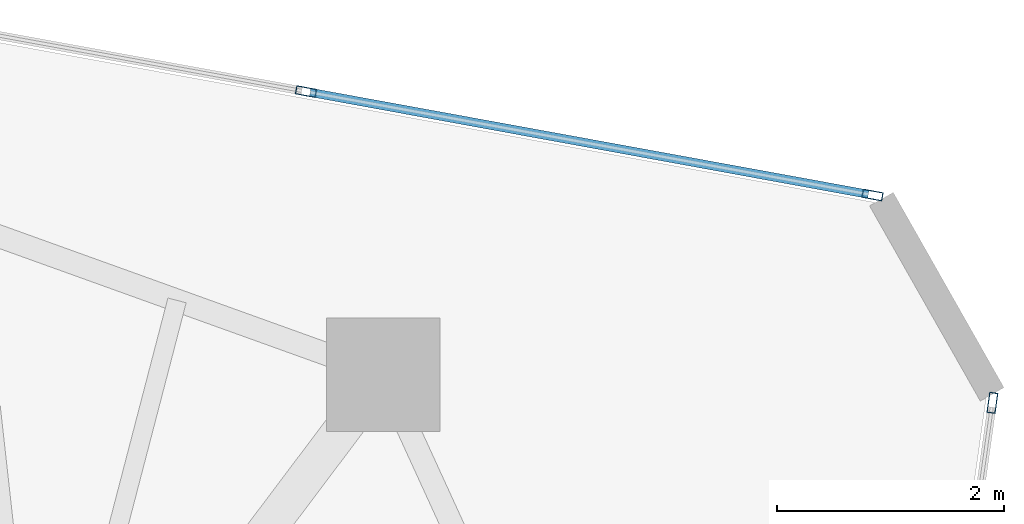
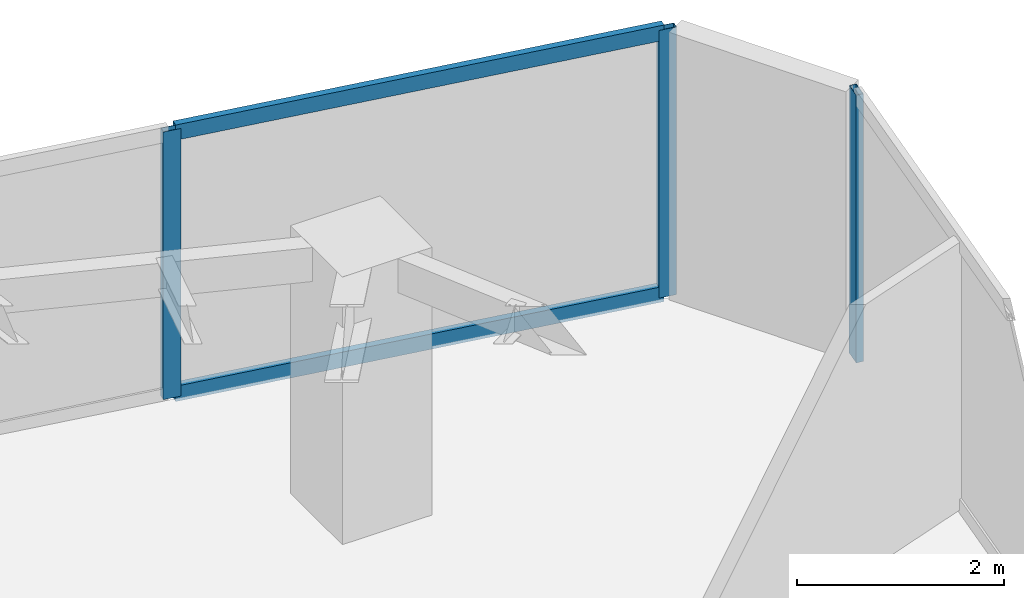
# One storey, part 16 of 21: 5 members, 2 elements without a shape of their own.
"""IFC4 building model written with IfcOpenShell, lengths in metres."""

from ifc_helpers import new_model, si_unit, direction, frame, origin, origin_2d, place, context, subcontext, project, spatial, hollow_rectangle, extrude, source, transform, mapped, material, layer, layer_set, material_profile, profile_set, type_object, type_shapes, element, aggregate, save


model = new_model("IFC4")

# Units and contexts
model_context = context("Model", 3, precision=1e-05, world=origin(), true_north=direction((0.0, 1.0)))
body_context = subcontext(model_context, "Body", "Model", "MODEL_VIEW")
ifc_project = project(units=[si_unit("LENGTHUNIT", "METRE"), si_unit("AREAUNIT", "SQUARE_METRE"), si_unit("VOLUMEUNIT", "CUBIC_METRE"), si_unit("PLANEANGLEUNIT", "RADIAN"), si_unit("MASSUNIT", "GRAM", prefix="KILO")], contexts=[model_context])

# Site, building, storey
site_placement = place(None, origin())
site = spatial("IfcSite", under=ifc_project, at=site_placement, CompositionType="ELEMENT")
building_placement = place(site_placement, origin())
building = spatial("IfcBuilding", under=site, at=building_placement, Name="Talar Marvaseh", CompositionType="ELEMENT")
storey_placement = place(building_placement, frame((0.0, 0.0, 232.699951171875)))
storey = spatial("IfcBuildingStorey", under=building, at=storey_placement, Name="L61", CompositionType="ELEMENT", Elevation=232.699951171875)

# Curtain wall, members
ifc_material = material(Name="Architectural Aluminium", Category="aluminium")
ifc_layer = layer(ifc_material, 0.18994140625)
ifc_layer_set = layer_set([ifc_layer], Name="Architectural Aluminium")
curtain_wall_type = type_object("IfcCurtainWallType", Name="Unitised Solar Atelier Curtain Wall Z3", PredefinedType="NOTDEFINED", material=ifc_layer_set)
curtain_wall_1_placement = place(storey_placement, origin())
curtain_wall_1 = element("IfcCurtainWall", 1, at=curtain_wall_1_placement, inside=storey, type_object=curtain_wall_type, Name="L61 Unitised Solar Atelier Curtain Wall Z3", PredefinedType="NOTDEFINED")
ifc_material_profile_1 = material_profile(ifc_material, hollow_rectangle(XDim=0.074951171875, YDim=0.179931640625, WallThickness=0.0048828125, at=origin_2d()), Name="RHS180x75x5")
ifc_profile_set_1 = profile_set([ifc_material_profile_1], Name="Architectural Aluminium")
member_type_1 = type_object("IfcMemberType", Name="Unitised Curtain Wall Transom RHS180x75x5", PredefinedType="USERDEFINED", material=ifc_profile_set_1)
shared_shape_1 = source(origin(), body_context, "Body", "SweptSolid", [
    extrude(hollow_rectangle(XDim=0.074951171875, YDim=0.179931640625, WallThickness=0.0048828125, at=origin_2d()), origin(), (0.0, 0.0, 1.0), 5.00048828125),
])
type_shapes(member_type_1, [shared_shape_1])
member_1_placement = place(storey_placement, frame((35.696044921875, 43.429443359375, 0.03759765625), z_axis=(0.983736055869, -0.179620077897, 0.0), x_axis=(0.179620077897, 0.983736055869, 0.0)))
member_1 = element("IfcMember", 2, at=member_1_placement, type_object=member_type_1, Name="CW-Z3 transom 3.1", ObjectType="TRANSOM", PredefinedType="USERDEFINED", context=body_context, shape_type="MappedRepresentation", body=[
    mapped(shared_shape_1, transform((0.0, 0.0, 0.0), x_axis=(1.0, 0.0, 0.0), y_axis=(0.0, 1.0, 0.0), z_axis=(0.0, 0.0, 1.0), scale=1.0)),
])
member_2_placement = place(storey_placement, frame((35.696044921875, 43.429443359375, 3.112548828125), z_axis=(0.983736055869, -0.179620077897, 0.0), x_axis=(0.179620077897, 0.983736055869, 0.0)))
member_2 = element("IfcMember", 3, at=member_2_placement, type_object=member_type_1, Name="CW-Z3 transom 3.2", ObjectType="TRANSOM", PredefinedType="USERDEFINED", context=body_context, shape_type="MappedRepresentation", body=[
    mapped(shared_shape_1, transform((0.0, 0.0, 0.0), x_axis=(1.0, 0.0, 0.0), y_axis=(0.0, 1.0, 0.0), z_axis=(0.0, 0.0, 1.0), scale=1.0)),
])
ifc_material_profile_2 = material_profile(ifc_material, hollow_rectangle(XDim=0.074951171875, YDim=0.179931640625, WallThickness=0.0048828125, at=origin_2d()), Name="RHS180x75x5")
ifc_profile_set_2 = profile_set([ifc_material_profile_2], Name="Architectural Aluminium")
member_type_2 = type_object("IfcMemberType", Name="Unitised Curtain Wall Standard Mullion RHS180x75x5", PredefinedType="MULLION", material=ifc_profile_set_2)
shared_shape_2 = source(origin(), body_context, "Body", "SweptSolid", [
    extrude(hollow_rectangle(XDim=0.074951171875, YDim=0.179931640625, WallThickness=0.0048828125, at=origin_2d()), origin(), (0.0, 0.0, 1.0), 3.150146484375),
])
type_shapes(member_type_2, [shared_shape_2])
member_3_placement = place(storey_placement, frame((35.6591796875, 43.436279296875, 0.0), z_axis=(0.0, 0.0, 1.0), x_axis=(0.17959448616, 0.983740728312, 0.0)))
member_3 = element("IfcMember", 4, at=member_3_placement, type_object=member_type_2, Name="CW-Z3 mullion 3", PredefinedType="MULLION", context=body_context, shape_type="MappedRepresentation", body=[
    mapped(shared_shape_2, transform((0.0, 0.0, 0.0), x_axis=(1.0, 0.0, 0.0), y_axis=(0.0, 1.0, 0.0), z_axis=(0.0, 0.0, 1.0), scale=1.0)),
])
member_4_placement = place(storey_placement, frame((40.652099609375, 42.524658203125, 0.0), z_axis=(0.0, 0.0, 1.0), x_axis=(0.17959448616, 0.983740728312, 0.0)))
member_4 = element("IfcMember", 5, at=member_4_placement, type_object=member_type_2, Name="CW-Z3 mullion 4", PredefinedType="MULLION", context=body_context, shape_type="MappedRepresentation", body=[
    mapped(shared_shape_2, transform((0.0, 0.0, 0.0), x_axis=(1.0, 0.0, 0.0), y_axis=(0.0, 1.0, 0.0), z_axis=(0.0, 0.0, 1.0), scale=1.0)),
])
aggregate(curtain_wall_1, [member_3, member_4, member_1, member_2])

# Curtain wall, member
curtain_wall_2_placement = place(storey_placement, origin())
curtain_wall_2 = element("IfcCurtainWall", 6, at=curtain_wall_2_placement, inside=storey, type_object=curtain_wall_type, Name="L61 Unitised Solar Atelier Curtain Wall Z3", PredefinedType="NOTDEFINED")
member_5_placement = place(storey_placement, frame((41.70849609375, 40.693359375, 0.0), z_axis=(0.0, 0.0, 1.0), x_axis=(0.990246936028, -0.139323385282, 0.0)))
member_5 = element("IfcMember", 7, at=member_5_placement, type_object=member_type_2, Name="CW-Z3 mullion 1", PredefinedType="MULLION", context=body_context, shape_type="MappedRepresentation", body=[
    mapped(shared_shape_2, transform((0.0, 0.0, 0.0), x_axis=(1.0, 0.0, 0.0), y_axis=(0.0, 1.0, 0.0), z_axis=(0.0, 0.0, 1.0), scale=1.0)),
])
aggregate(curtain_wall_2, [member_5])

save(model, "model.ifc")
